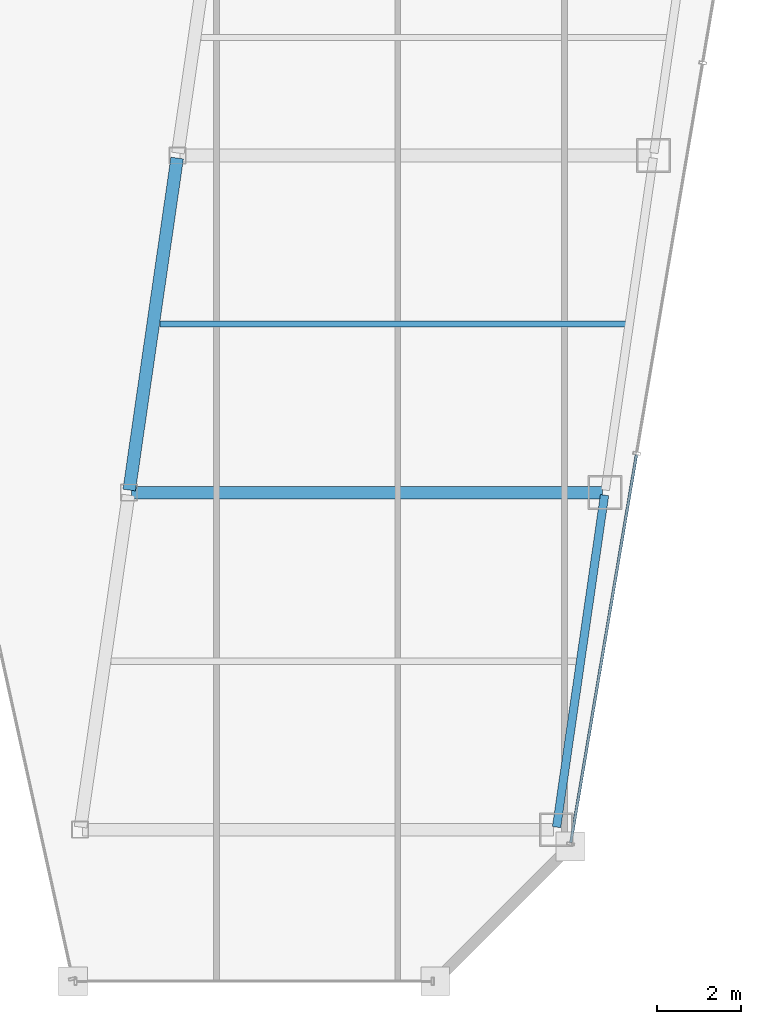
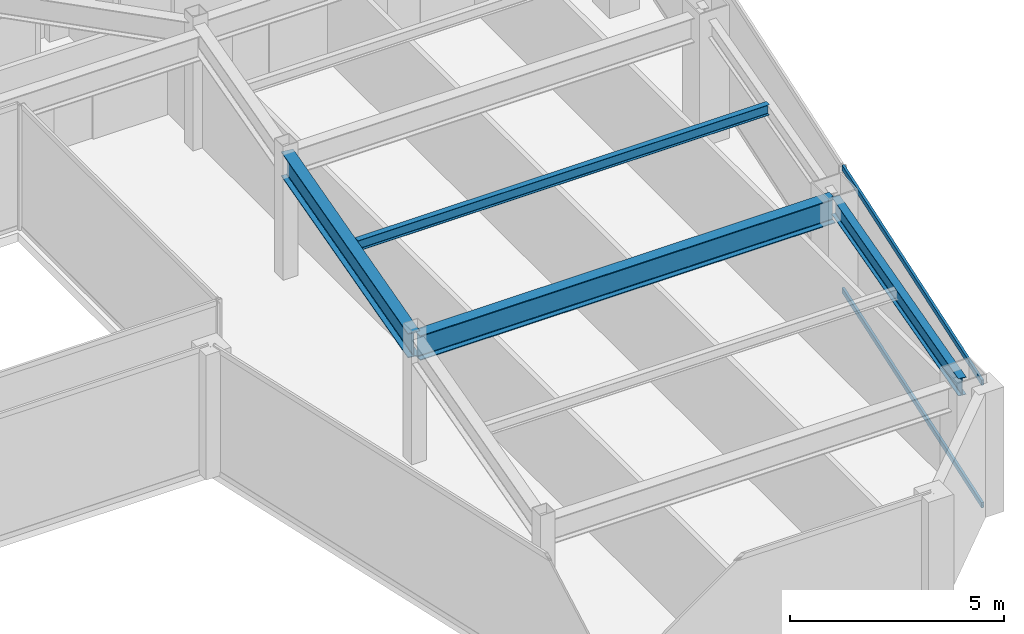
# One storey, part 19 of 36: 4 beams, 2 members, 1 element without a shape of its own.
"""IFC4 building model written with IfcOpenShell, lengths in metres."""

from ifc_helpers import new_model, si_unit, direction, frame, origin, origin_2d, place, context, subcontext, project, spatial, hollow_rectangle, i_section, extrude, material, material_profile, profile_set, type_object, element, aggregate, save


model = new_model("IFC4")

# Units and contexts
model_context = context("Model", 3, precision=1e-05, world=origin(), true_north=direction((0.0, 1.0)))
body_context = subcontext(model_context, "Body", "Model", "MODEL_VIEW")
ifc_project = project(units=[si_unit("LENGTHUNIT", "METRE"), si_unit("AREAUNIT", "SQUARE_METRE"), si_unit("VOLUMEUNIT", "CUBIC_METRE"), si_unit("PLANEANGLEUNIT", "RADIAN"), si_unit("MASSUNIT", "GRAM", prefix="KILO")], contexts=[model_context])

# Site, building, storey
site_placement = place(None, origin())
site = spatial("IfcSite", under=ifc_project, at=site_placement, CompositionType="ELEMENT")
building_placement = place(site_placement, origin())
building = spatial("IfcBuilding", under=site, at=building_placement, Name="Saevonmaru Cultural Tower", CompositionType="ELEMENT")
storey_placement = place(building_placement, frame((0.0, 0.0, 201.800048828125)))
storey = spatial("IfcBuildingStorey", under=building, at=storey_placement, Name="L46", CompositionType="ELEMENT", Elevation=201.800048828125)

# Beams
ifc_material_1 = material(Name="Steel SM355", Category="steel")
ifc_material_profile_1 = material_profile(ifc_material_1, i_section(OverallWidth=0.300048828125, OverallDepth=0.699951171875, WebThickness=0.012939453125, FlangeThickness=0.02392578125, FilletRadius=0.02587890625, at=origin_2d()), Name="H-700x300x13x24")
ifc_profile_set_1 = profile_set([ifc_material_profile_1], Name="Steel SM355")
beam_type_1 = type_object("IfcBeamType", Name="BM-G-H700", PredefinedType="BEAM", material=ifc_profile_set_1)
beam_1_placement = place(storey_placement, frame((39.236572265625, 24.059326171875, 3.199951171875), z_axis=(0.142902032203, 0.989736838353, 0.0), x_axis=(-0.989736838353, 0.142902032203, 0.0)))
element("IfcBeam", 1, at=beam_1_placement, inside=storey, type_object=beam_type_1, Name="L46 East Atrium Girder 2", PredefinedType="BEAM", context=body_context, shape_type="SweptSolid", body=[
    extrude(i_section(OverallWidth=0.300048828125, OverallDepth=0.699951171875, WebThickness=0.012939453125, FlangeThickness=0.02392578125, FilletRadius=0.02587890625, at=origin_2d()), origin(), (0.0, 0.0, 1.0), 7.963134765625),
])
beam_2_placement = place(storey_placement, frame((39.2880859375, 24.0, 3.199951171875), z_axis=(1.0, 0.0, 0.0), x_axis=(0.0, 1.0, 0.0)))
element("IfcBeam", 2, at=beam_2_placement, inside=storey, type_object=beam_type_1, Name="L46 East Wing Transverse Girder 2", PredefinedType="BEAM", context=body_context, shape_type="SweptSolid", body=[
    extrude(i_section(OverallWidth=0.300048828125, OverallDepth=0.699951171875, WebThickness=0.012939453125, FlangeThickness=0.02392578125, FilletRadius=0.02587890625, at=origin_2d()), origin(), (0.0, 0.0, 1.0), 11.179931640625),
])
ifc_material_profile_2 = material_profile(ifc_material_1, i_section(OverallWidth=0.14990234375, OverallDepth=0.300048828125, WebThickness=0.006591796875, FlangeThickness=0.009033203125, FilletRadius=0.012939453125, at=origin_2d()), Name="H-300x150x6.5x9")
ifc_profile_set_2 = profile_set([ifc_material_profile_2], Name="Steel SM355")
beam_type_2 = type_object("IfcBeamType", Name="BM-J-H300", PredefinedType="JOIST", material=ifc_profile_set_2)
beam_3_placement = place(storey_placement, frame((39.96337890625, 28.0, 3.39990234375), z_axis=(1.0, 0.0, 0.0), x_axis=(0.0, 1.0, 0.0)))
element("IfcBeam", 3, at=beam_3_placement, inside=storey, type_object=beam_type_2, Name="L46 East Wing Floor Joist 2", PredefinedType="JOIST", context=body_context, shape_type="SweptSolid", body=[
    extrude(i_section(OverallWidth=0.14990234375, OverallDepth=0.300048828125, WebThickness=0.006591796875, FlangeThickness=0.009033203125, FilletRadius=0.012939453125, at=origin_2d()), origin(), (0.0, 0.0, 1.0), 11.08203125),
])
ifc_material_profile_3 = material_profile(ifc_material_1, i_section(OverallWidth=0.199951171875, OverallDepth=0.5, WebThickness=0.010009765625, FlangeThickness=0.01611328125, FilletRadius=0.02001953125, at=origin_2d()), Name="H-500x200x10x16")
ifc_profile_set_3 = profile_set([ifc_material_profile_3], Name="Steel SM355")
beam_type_3 = type_object("IfcBeamType", Name="BM-SP-H500", PredefinedType="SPANDREL", material=ifc_profile_set_3)
beam_4_placement = place(storey_placement, frame((49.380615234375, 16.059326171875, 3.300048828125), z_axis=(0.142992129437, 0.989723825579, 0.0), x_axis=(-0.989723825579, 0.142992129437, 0.0)))
element("IfcBeam", 4, at=beam_4_placement, inside=storey, type_object=beam_type_3, Name="L46 East Splayed Spandrel 1", PredefinedType="SPANDREL", context=body_context, shape_type="SweptSolid", body=[
    extrude(i_section(OverallWidth=0.199951171875, OverallDepth=0.5, WebThickness=0.010009765625, FlangeThickness=0.01611328125, FilletRadius=0.02001953125, at=origin_2d()), origin(), (0.0, 0.0, 1.0), 7.963134765625),
])

# Curtain wall, members
ifc_material_2 = material(Name="Satin Bronze Anodised Aluminium", Category="aluminium")
curtain_wall_type = type_object("IfcCurtainWallType", Name="CW-TYP-B", PredefinedType="NOTDEFINED", material=ifc_material_2)
curtain_wall_placement = place(storey_placement, origin())
curtain_wall = element("IfcCurtainWall", 5, at=curtain_wall_placement, inside=storey, type_object=curtain_wall_type, Name="L46 Unitised Curtain Wall E8", PredefinedType="NOTDEFINED")
ifc_material_profile_4 = material_profile(ifc_material_2, hollow_rectangle(XDim=0.06494140625, YDim=0.14990234375, WallThickness=0.00390625, at=origin_2d()), Name="ALU-TRAN-150x65x4")
ifc_profile_set_4 = profile_set([ifc_material_profile_4], Name="Satin Bronze Anodised Aluminium")
member_type = type_object("IfcMemberType", Name="TR-CW-150x65", PredefinedType="USERDEFINED", material=ifc_profile_set_4)
member_1_placement = place(storey_placement, frame((49.717529296875, 15.691162109375, 0.032470703125), z_axis=(0.166921263871, 0.985970228591, 0.0), x_axis=(-0.985970228591, 0.166921263871, 0.0)))
member_1 = element("IfcMember", 6, at=member_1_placement, type_object=member_type, Name="CW-TW-L46-E8 transom 1.1", ObjectType="TRANSOM", PredefinedType="USERDEFINED", context=body_context, shape_type="SweptSolid", body=[
    extrude(hollow_rectangle(XDim=0.06494140625, YDim=0.14990234375, WallThickness=0.00390625, at=origin_2d()), origin(), (0.0, 0.0, 1.0), 9.33740234375),
])
member_2_placement = place(storey_placement, frame((49.717529296875, 15.691162109375, 3.517333984375), z_axis=(0.166921263871, 0.985970228591, 0.0), x_axis=(-0.985970228591, 0.166921263871, 0.0)))
member_2 = element("IfcMember", 7, at=member_2_placement, type_object=member_type, Name="CW-TW-L46-E8 transom 1.2", ObjectType="TRANSOM", PredefinedType="USERDEFINED", context=body_context, shape_type="SweptSolid", body=[
    extrude(hollow_rectangle(XDim=0.06494140625, YDim=0.14990234375, WallThickness=0.00390625, at=origin_2d()), origin(), (0.0, 0.0, 1.0), 9.33740234375),
])
aggregate(curtain_wall, [member_1, member_2])

save(model, "model.ifc")
